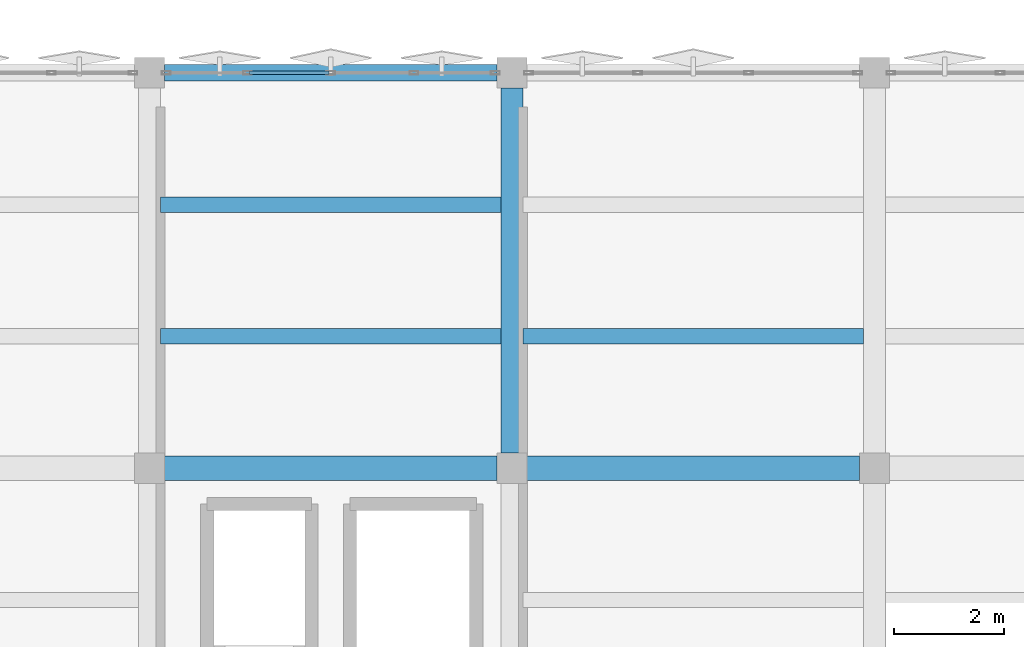
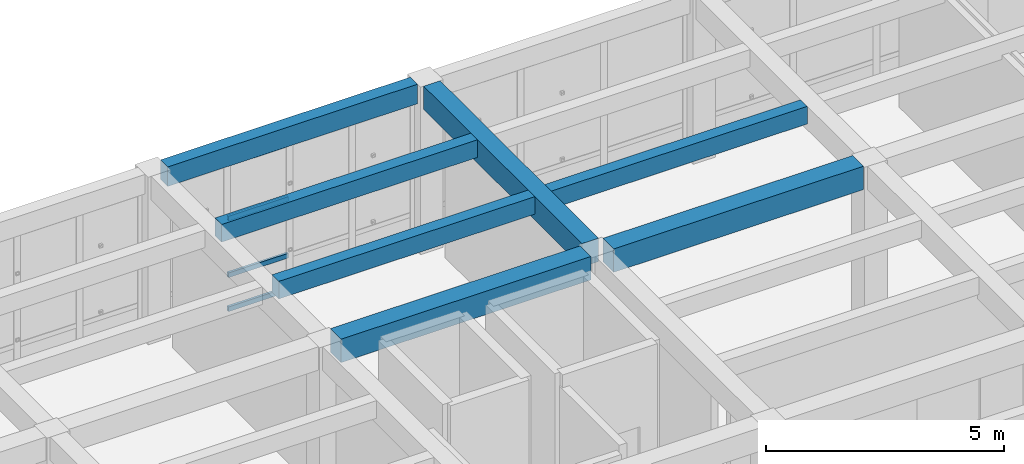
# One storey, part 17 of 39: 7 beams, 4 members, 1 element without a shape of its own.
"""IFC4 building model written with IfcOpenShell, lengths in metres."""

from ifc_helpers import new_model, si_unit, direction, frame, origin, origin_2d, place, context, subcontext, project, spatial, rectangle, hollow_rectangle, extrude, material, layer, layer_set, material_profile, profile_set, type_object, element, aggregate, save


model = new_model("IFC4")

# Units and contexts
model_context = context("Model", 3, precision=1e-05, world=origin(), true_north=direction((0.0, 1.0)))
body_context = subcontext(model_context, "Body", "Model", "MODEL_VIEW")
ifc_project = project(units=[si_unit("LENGTHUNIT", "METRE"), si_unit("AREAUNIT", "SQUARE_METRE"), si_unit("VOLUMEUNIT", "CUBIC_METRE"), si_unit("PLANEANGLEUNIT", "RADIAN"), si_unit("MASSUNIT", "GRAM", prefix="KILO")], contexts=[model_context])

# Site, building, storey
site_placement = place(None, origin())
site = spatial("IfcSite", under=ifc_project, at=site_placement, CompositionType="ELEMENT")
building_placement = place(site_placement, origin())
building = spatial("IfcBuilding", under=site, at=building_placement, Name="Kharisveld Research Institute", CompositionType="ELEMENT")
storey_placement = place(building_placement, frame((0.0, 0.0, 23.10009765625)))
storey = spatial("IfcBuildingStorey", under=building, at=storey_placement, Name="L05", CompositionType="ELEMENT", Elevation=23.10009765625)

# Beams
ifc_material_1 = material(Name="Concrete C40/50", Category="concrete")
ifc_material_profile_1 = material_profile(ifc_material_1, rectangle(XDim=0.39990234375, YDim=0.60009765625, at=origin_2d()))
ifc_profile_set_1 = profile_set([ifc_material_profile_1], Name="Concrete C40/50")
beam_type_1 = type_object("IfcBeamType", Name="BM_RC_400x600", PredefinedType="BEAM", material=ifc_profile_set_1)
beam_1_placement = place(storey_placement, frame((141.0, 53.875, 3.989990234375), z_axis=(0.0, 1.0, 0.0), x_axis=(-1.0, 0.0, 0.0)))
element("IfcBeam", 1, at=beam_1_placement, inside=storey, type_object=beam_type_1, Name="BM:V2:L05:V4_2", PredefinedType="BEAM", context=body_context, shape_type="SweptSolid", body=[
    extrude(rectangle(XDim=0.39990234375, YDim=0.60009765625, at=origin_2d()), origin(), (0.0, 0.0, 1.0), 6.64990234375),
])
ifc_material_2 = material(Name="Concrete C40/50", Category="concrete")
ifc_material_profile_2 = material_profile(ifc_material_2, rectangle(XDim=0.449951171875, YDim=0.60009765625, at=origin_2d()))
ifc_profile_set_2 = profile_set([ifc_material_profile_2], Name="Concrete C40/50")
beam_type_2 = type_object("IfcBeamType", Name="BM_RC_450x600", PredefinedType="BEAM", material=ifc_profile_set_2)
for number, where, z_axis, x_axis, name in (
    (2, (134.675048828125, 53.60009765625, 3.989990234375), (1.0, 0.0, 0.0), (0.0, 1.0, 0.0), "BM:V2:L05:U3_2"),
    (3, (141.27490234375, 53.60009765625, 3.989990234375), (1.0, 0.0, 0.0), (0.0, 1.0, 0.0), "BM:V2:L05:U4_2"),
):
    element("IfcBeam", number, at=place(storey_placement, frame(where, z_axis=z_axis, x_axis=x_axis)), inside=storey, type_object=beam_type_2, Name=name, PredefinedType="BEAM", context=body_context, shape_type="SweptSolid", body=[
        extrude(rectangle(XDim=0.449951171875, YDim=0.60009765625, at=origin_2d()), origin(), (0.0, 0.0, 1.0), 6.050048828125),
    ])

# Curtain wall, members
ifc_material_3 = material(Name="Thermally Broken Aluminium Curtain Wall", Category="aluminium")
ifc_layer = layer(ifc_material_3, 0.159912109375)
ifc_layer_set = layer_set([ifc_layer], Name="CW_SYS_04")
curtain_wall_type = type_object("IfcCurtainWallType", Name="CW_SYS_04", PredefinedType="NOTDEFINED", material=ifc_layer_set)
curtain_wall_placement = place(storey_placement, origin())
curtain_wall = element("IfcCurtainWall", 4, at=curtain_wall_placement, inside=storey, type_object=curtain_wall_type, Name="CW:V2:L05:N3", PredefinedType="NOTDEFINED")
ifc_material_4 = material(Name="Anodised Aluminium AW-6063-T6", Category="aluminium")
ifc_material_profile_3 = material_profile(ifc_material_4, hollow_rectangle(XDim=0.06005859375, YDim=0.1201171875, WallThickness=0.00390625, at=origin_2d()))
ifc_profile_set_3 = profile_set([ifc_material_profile_3], Name="Anodised Aluminium AW-6063-T6")
member_type = type_object("IfcMemberType", Name="CW_TRN_120", PredefinedType="USERDEFINED", material=ifc_profile_set_3)
member_1_placement = place(storey_placement, frame((136.217529296875, 60.800048828125, 0.02978515625), z_axis=(1.0, 0.0, 0.0), x_axis=(0.0, 1.0, 0.0)))
member_1 = element("IfcMember", 5, at=member_1_placement, type_object=member_type, Name="CW-04 transom 2.1", ObjectType="TRANSOM", PredefinedType="USERDEFINED", context=body_context, shape_type="SweptSolid", body=[
    extrude(hollow_rectangle(XDim=0.06005859375, YDim=0.1201171875, WallThickness=0.00390625, at=origin_2d()), origin(), (0.0, 0.0, 1.0), 1.449951171875),
])
member_2_placement = place(storey_placement, frame((136.217529296875, 60.800048828125, 0.89990234375), z_axis=(1.0, 0.0, 0.0), x_axis=(0.0, 1.0, 0.0)))
member_2 = element("IfcMember", 6, at=member_2_placement, type_object=member_type, Name="CW-04 transom 2.2", ObjectType="TRANSOM", PredefinedType="USERDEFINED", context=body_context, shape_type="SweptSolid", body=[
    extrude(hollow_rectangle(XDim=0.06005859375, YDim=0.1201171875, WallThickness=0.00390625, at=origin_2d()), origin(), (0.0, 0.0, 1.0), 1.449951171875),
])
member_3_placement = place(storey_placement, frame((136.217529296875, 60.800048828125, 2.349853515625), z_axis=(1.0, 0.0, 0.0), x_axis=(0.0, 1.0, 0.0)))
member_3 = element("IfcMember", 7, at=member_3_placement, type_object=member_type, Name="CW-04 transom 2.3", ObjectType="TRANSOM", PredefinedType="USERDEFINED", context=body_context, shape_type="SweptSolid", body=[
    extrude(hollow_rectangle(XDim=0.06005859375, YDim=0.1201171875, WallThickness=0.00390625, at=origin_2d()), origin(), (0.0, 0.0, 1.0), 1.449951171875),
])
member_4_placement = place(storey_placement, frame((136.217529296875, 60.800048828125, 3.75), z_axis=(1.0, 0.0, 0.0), x_axis=(0.0, 1.0, 0.0)))
member_4 = element("IfcMember", 8, at=member_4_placement, type_object=member_type, Name="CW-04 transom 2.4", ObjectType="TRANSOM", PredefinedType="USERDEFINED", context=body_context, shape_type="SweptSolid", body=[
    extrude(hollow_rectangle(XDim=0.06005859375, YDim=0.1201171875, WallThickness=0.00390625, at=origin_2d()), origin(), (0.0, 0.0, 1.0), 1.449951171875),
])
aggregate(curtain_wall, [member_1, member_2, member_3, member_4])

# Beams
ifc_material_5 = material(Name="Concrete C40/50", Category="concrete")
ifc_material_profile_4 = material_profile(ifc_material_5, rectangle(XDim=0.300048828125, YDim=0.5, at=origin_2d()))
ifc_profile_set_4 = profile_set([ifc_material_profile_4], Name="Concrete C40/50")
beam_type_3 = type_object("IfcBeamType", Name="SP_RC_300x500", PredefinedType="SPANDREL", material=ifc_profile_set_4)
beam_2_placement = place(storey_placement, frame((134.675048828125, 60.800048828125, 4.039794921875), z_axis=(1.0, 0.0, 0.0), x_axis=(0.0, 1.0, 0.0)))
element("IfcBeam", 9, at=beam_2_placement, inside=storey, type_object=beam_type_3, Name="BM:V2:L05:U3_3", PredefinedType="SPANDREL", context=body_context, shape_type="SweptSolid", body=[
    extrude(rectangle(XDim=0.300048828125, YDim=0.5, at=origin_2d()), origin(), (0.0, 0.0, 1.0), 6.050048828125),
])
ifc_material_6 = material(Name="Concrete C40/50", Category="concrete")
ifc_material_profile_5 = material_profile(ifc_material_6, rectangle(XDim=0.280029296875, YDim=0.449951171875, at=origin_2d()))
ifc_profile_set_5 = profile_set([ifc_material_profile_5], Name="Concrete C40/50")
beam_type_4 = type_object("IfcBeamType", Name="WB_RC_280x450", PredefinedType="JOIST", material=ifc_profile_set_5)
for number, where, z_axis, x_axis, name in (
    (10, (134.60009765625, 56.0, 4.06494140625), (1.0, 0.0, 0.0), (0.0, 1.0, 0.0), "BM:V2:L05:J_3_2_R1"),
    (11, (134.60009765625, 58.39990234375, 4.06494140625), (1.0, 0.0, 0.0), (0.0, 1.0, 0.0), "BM:V2:L05:J_3_2_R2"),
    (12, (141.199951171875, 56.0, 4.06494140625), (1.0, 0.0, 0.0), (0.0, 1.0, 0.0), "BM:V2:L05:J_4_2_R1"),
):
    element("IfcBeam", number, at=place(storey_placement, frame(where, z_axis=z_axis, x_axis=x_axis)), inside=storey, type_object=beam_type_4, Name=name, PredefinedType="JOIST", context=body_context, shape_type="SweptSolid", body=[
        extrude(rectangle(XDim=0.280029296875, YDim=0.449951171875, at=origin_2d()), origin(), (0.0, 0.0, 1.0), 6.199951171875),
    ])

save(model, "model.ifc")
